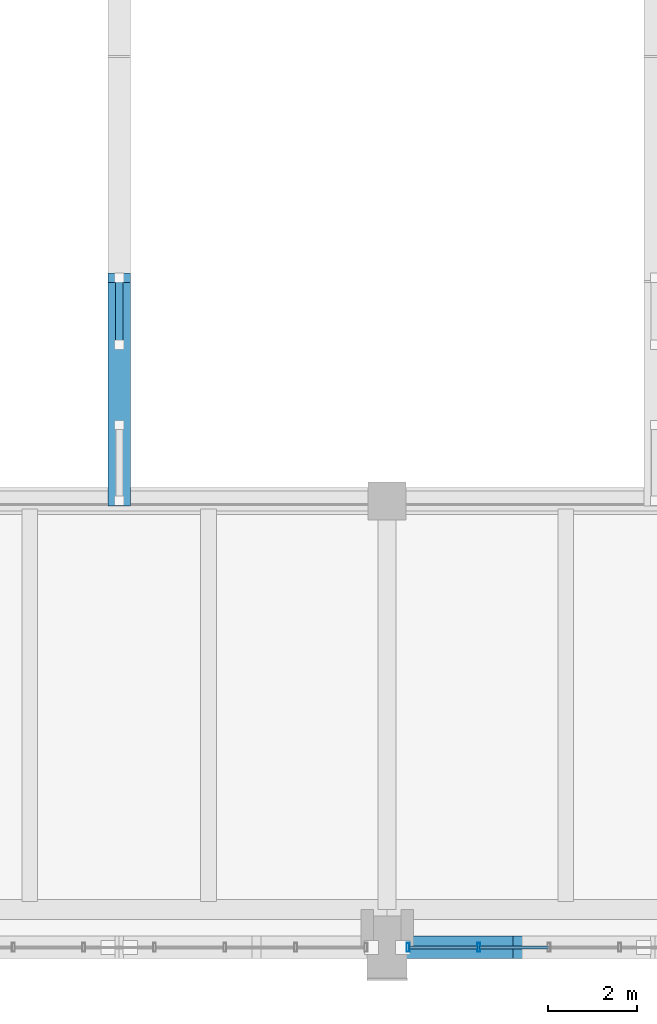
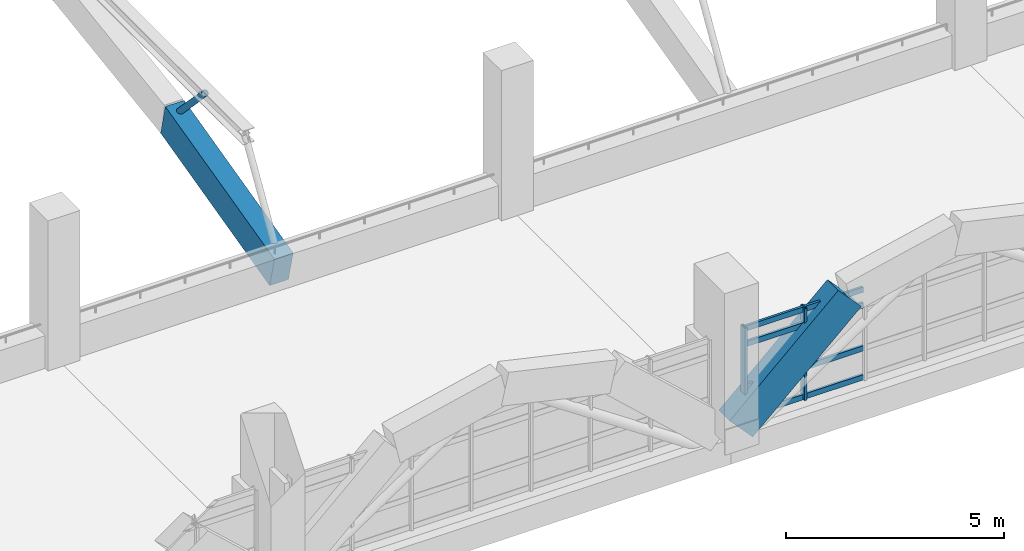
# One storey, part 21 of 161: 11 members, 2 beams, 1 element without a shape of its own.
"""IFC4 building model written with IfcOpenShell, lengths in metres."""

from ifc_helpers import new_model, si_unit, direction, frame, origin, origin_2d, place, context, subcontext, project, spatial, rectangle, hollow_rectangle, hollow_circle, extrude, material, layer, layer_set, material_profile, profile_set, type_object, element, aggregate, save


model = new_model("IFC4")

# Units and contexts
model_context = context("Model", 3, precision=1e-05, world=origin(), true_north=direction((0.0, 1.0)))
body_context = subcontext(model_context, "Body", "Model", "MODEL_VIEW")
ifc_project = project(units=[si_unit("LENGTHUNIT", "METRE"), si_unit("AREAUNIT", "SQUARE_METRE"), si_unit("VOLUMEUNIT", "CUBIC_METRE"), si_unit("PLANEANGLEUNIT", "RADIAN"), si_unit("MASSUNIT", "GRAM", prefix="KILO")], contexts=[model_context])

# Site, building, storey
site_placement = place(None, origin())
site = spatial("IfcSite", under=ifc_project, at=site_placement, CompositionType="ELEMENT")
building_placement = place(site_placement, origin())
building = spatial("IfcBuilding", under=site, at=building_placement, Name="Mersad Railyard Sports Hall", CompositionType="ELEMENT")
storey_placement = place(building_placement, frame((0.0, 0.0, 4.800048828125)))
storey = spatial("IfcBuildingStorey", under=building, at=storey_placement, Name="L01", CompositionType="ELEMENT", Elevation=4.800048828125)

# Curtain wall, members
ifc_material_1 = material(Name="Aluminium 6063-T6", Category="aluminium")
ifc_layer = layer(ifc_material_1, 0.199951171875)
ifc_layer_set = layer_set([ifc_layer], Name="Aluminium 6063-T6")
curtain_wall_type = type_object("IfcCurtainWallType", Name="ARC-CW-CW02", PredefinedType="USERDEFINED", material=ifc_layer_set)
curtain_wall_placement = place(storey_placement, origin())
curtain_wall = element("IfcCurtainWall", 1, at=curtain_wall_placement, inside=storey, type_object=curtain_wall_type, Name="Curtain wall CW02-0015", ObjectType="CURTAIN WALL", PredefinedType="USERDEFINED")
ifc_material_profile_1 = material_profile(ifc_material_1, hollow_rectangle(XDim=0.06494140625, YDim=0.199951171875, WallThickness=0.0048828125, at=origin_2d()), Name="AL MULLION 65x200x5")
ifc_profile_set_1 = profile_set([ifc_material_profile_1], Name="Aluminium 6063-T6")
member_type_1 = type_object("IfcMemberType", Name="ARC-CW-MUL02", PredefinedType="MULLION", material=ifc_profile_set_1)
member_1_placement = place(storey_placement, frame((57.050048828125, 3.5, -0.02001953125), z_axis=(0.0, 0.0, 1.0), x_axis=(1.0, 0.0, 0.0)))
member_1 = element("IfcMember", 2, at=member_1_placement, type_object=member_type_1, Name="CW02 Mullion 7", PredefinedType="MULLION", context=body_context, shape_type="SweptSolid", body=[
    extrude(hollow_rectangle(XDim=0.06494140625, YDim=0.199951171875, WallThickness=0.0048828125, at=origin_2d()), origin(), (0.0, 0.0, 1.0), 2.570068359375),
])
member_2_placement = place(storey_placement, frame((55.469970703125, 3.5, -0.02001953125), z_axis=(0.0, 0.0, 1.0), x_axis=(1.0, 0.0, 0.0)))
member_2 = element("IfcMember", 3, at=member_2_placement, type_object=member_type_1, Name="CW02 Mullion 8", PredefinedType="MULLION", context=body_context, shape_type="SweptSolid", body=[
    extrude(hollow_rectangle(XDim=0.06494140625, YDim=0.199951171875, WallThickness=0.0048828125, at=origin_2d()), origin(), (0.0, 0.0, 1.0), 2.570068359375),
])
ifc_material_profile_2 = material_profile(ifc_material_1, hollow_rectangle(XDim=0.06494140625, YDim=0.14990234375, WallThickness=0.00439453125, at=origin_2d()), Name="AL TRANSOM 65x150x4.5")
ifc_profile_set_2 = profile_set([ifc_material_profile_2], Name="Aluminium 6063-T6")
member_type_2 = type_object("IfcMemberType", Name="ARC-CW-TRN02", PredefinedType="USERDEFINED", material=ifc_profile_set_2)
member_3_placement = place(storey_placement, frame((58.610107421875, 3.5, 0.0400390625), z_axis=(-1.0, 0.0, 0.0), x_axis=(0.0, -1.0, 0.0)))
member_3 = element("IfcMember", 4, at=member_3_placement, type_object=member_type_2, Name="CW02 Transom 1-6", ObjectType="TRANSOM", PredefinedType="USERDEFINED", context=body_context, shape_type="SweptSolid", body=[
    extrude(hollow_rectangle(XDim=0.06494140625, YDim=0.14990234375, WallThickness=0.00439453125, at=origin_2d()), origin(), (0.0, 0.0, 1.0), 1.5400390625),
])
member_4_placement = place(storey_placement, frame((57.030029296875, 3.5, 0.0400390625), z_axis=(-1.0, 0.0, 0.0), x_axis=(0.0, -1.0, 0.0)))
member_4 = element("IfcMember", 5, at=member_4_placement, type_object=member_type_2, Name="CW02 Transom 1-7", ObjectType="TRANSOM", PredefinedType="USERDEFINED", context=body_context, shape_type="SweptSolid", body=[
    extrude(hollow_rectangle(XDim=0.06494140625, YDim=0.14990234375, WallThickness=0.00439453125, at=origin_2d()), origin(), (0.0, 0.0, 1.0), 1.5400390625),
])
member_5_placement = place(storey_placement, frame((58.610107421875, 3.5, 0.849853515625), z_axis=(-1.0, 0.0, 0.0), x_axis=(0.0, -1.0, 0.0)))
member_5 = element("IfcMember", 6, at=member_5_placement, type_object=member_type_2, Name="CW02 Transom 2-6", ObjectType="TRANSOM", PredefinedType="USERDEFINED", context=body_context, shape_type="SweptSolid", body=[
    extrude(hollow_rectangle(XDim=0.06494140625, YDim=0.14990234375, WallThickness=0.00439453125, at=origin_2d()), origin(), (0.0, 0.0, 1.0), 1.5400390625),
])
member_6_placement = place(storey_placement, frame((57.030029296875, 3.5, 0.849853515625), z_axis=(-1.0, 0.0, 0.0), x_axis=(0.0, -1.0, 0.0)))
member_6 = element("IfcMember", 7, at=member_6_placement, type_object=member_type_2, Name="CW02 Transom 2-7", ObjectType="TRANSOM", PredefinedType="USERDEFINED", context=body_context, shape_type="SweptSolid", body=[
    extrude(hollow_rectangle(XDim=0.06494140625, YDim=0.14990234375, WallThickness=0.00439453125, at=origin_2d()), origin(), (0.0, 0.0, 1.0), 1.5400390625),
])
member_7_placement = place(storey_placement, frame((58.610107421875, 3.5, 2.050048828125), z_axis=(-1.0, 0.0, 0.0), x_axis=(0.0, -1.0, 0.0)))
member_7 = element("IfcMember", 8, at=member_7_placement, type_object=member_type_2, Name="CW02 Transom 3-6", ObjectType="TRANSOM", PredefinedType="USERDEFINED", context=body_context, shape_type="SweptSolid", body=[
    extrude(hollow_rectangle(XDim=0.06494140625, YDim=0.14990234375, WallThickness=0.00439453125, at=origin_2d()), origin(), (0.0, 0.0, 1.0), 1.5400390625),
])
member_8_placement = place(storey_placement, frame((57.030029296875, 3.5, 2.050048828125), z_axis=(-1.0, 0.0, 0.0), x_axis=(0.0, -1.0, 0.0)))
member_8 = element("IfcMember", 9, at=member_8_placement, type_object=member_type_2, Name="CW02 Transom 3-7", ObjectType="TRANSOM", PredefinedType="USERDEFINED", context=body_context, shape_type="SweptSolid", body=[
    extrude(hollow_rectangle(XDim=0.06494140625, YDim=0.14990234375, WallThickness=0.00439453125, at=origin_2d()), origin(), (0.0, 0.0, 1.0), 1.5400390625),
])
member_9_placement = place(storey_placement, frame((58.610107421875, 3.5, 2.489990234375), z_axis=(-1.0, 0.0, 0.0), x_axis=(0.0, -1.0, 0.0)))
member_9 = element("IfcMember", 10, at=member_9_placement, type_object=member_type_2, Name="CW02 Transom 4-6", ObjectType="TRANSOM", PredefinedType="USERDEFINED", context=body_context, shape_type="SweptSolid", body=[
    extrude(hollow_rectangle(XDim=0.06494140625, YDim=0.14990234375, WallThickness=0.00439453125, at=origin_2d()), origin(), (0.0, 0.0, 1.0), 1.5400390625),
])
member_10_placement = place(storey_placement, frame((57.030029296875, 3.5, 2.489990234375), z_axis=(-1.0, 0.0, 0.0), x_axis=(0.0, -1.0, 0.0)))
member_10 = element("IfcMember", 11, at=member_10_placement, type_object=member_type_2, Name="CW02 Transom 4-7", ObjectType="TRANSOM", PredefinedType="USERDEFINED", context=body_context, shape_type="SweptSolid", body=[
    extrude(hollow_rectangle(XDim=0.06494140625, YDim=0.14990234375, WallThickness=0.00439453125, at=origin_2d()), origin(), (0.0, 0.0, 1.0), 1.5400390625),
])
aggregate(curtain_wall, [member_1, member_2, member_3, member_4, member_5, member_6, member_7, member_8, member_9, member_10])

# Beams
ifc_material_2 = material(Name="Architectural concrete C50/60", Category="concrete")
ifc_material_profile_3 = material_profile(ifc_material_2, rectangle(XDim=0.5, YDim=0.89990234375, at=origin_2d()), Name="VR 500x900")
ifc_profile_set_3 = profile_set([ifc_material_profile_3], Name="Architectural concrete C50/60")
beam_type = type_object("IfcBeamType", Name="STR-BM-VR02", PredefinedType="BEAM", material=ifc_profile_set_3)
beam_1_placement = place(storey_placement, frame((55.25, 3.5, -0.10009765625), z_axis=(0.735617187873, 0.0, 0.677397485164), x_axis=(0.0, 1.0, 0.0)))
element("IfcBeam", 12, at=beam_1_placement, inside=storey, type_object=beam_type, Name="Beam VR02-0366", PredefinedType="BEAM", context=body_context, shape_type="SweptSolid", body=[
    extrude(rectangle(XDim=0.5, YDim=0.89990234375, at=origin_2d()), origin(), (0.0, 0.0, 1.0), 3.908203125),
])
beam_2_placement = place(storey_placement, frame((49.0, 13.5, 0.339599609375), z_axis=(0.0, 0.970609045837, 0.240661754627), x_axis=(-1.0, 0.0, 0.0)))
element("IfcBeam", 13, at=beam_2_placement, inside=storey, type_object=beam_type, Name="Beam VR02-0530", PredefinedType="BEAM", context=body_context, shape_type="SweptSolid", body=[
    extrude(rectangle(XDim=0.5, YDim=0.89990234375, at=origin_2d()), origin(), (0.0, 0.0, 1.0), 5.1513671875),
])

# Member
ifc_material_3 = material(Name="Steel S355", Category="steel")
ifc_material_profile_4 = material_profile(ifc_material_3, hollow_circle(Radius=0.084228515625, WallThickness=0.008056640625, at=origin_2d()), Name="CHS 168.3x8")
ifc_profile_set_4 = profile_set([ifc_material_profile_4], Name="Steel S355")
member_type_3 = type_object("IfcMemberType", Name="STR-MEM-BR03", PredefinedType="BRACE", material=ifc_profile_set_4)
member_11_placement = place(storey_placement, frame((49.0, 18.5, 1.579345703125), z_axis=(0.0, -0.690676243766, 0.723164107446), x_axis=(1.0, 0.0, 0.0)))
element("IfcMember", 14, at=member_11_placement, inside=storey, type_object=member_type_3, Name="Structural member BR03-0076", PredefinedType="BRACE", context=body_context, shape_type="SweptSolid", body=[
    extrude(hollow_circle(Radius=0.084228515625, WallThickness=0.008056640625, at=origin_2d()), origin(), (0.0, 0.0, 1.0), 2.171875),
])

save(model, "model.ifc")
